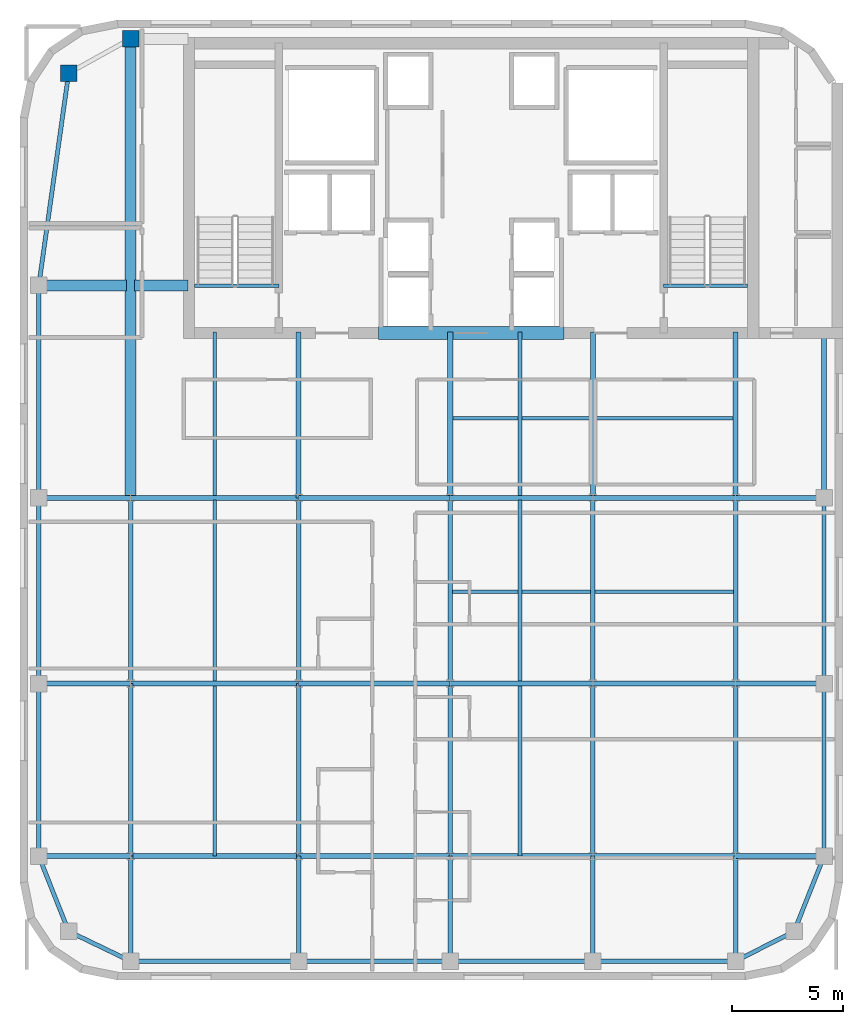
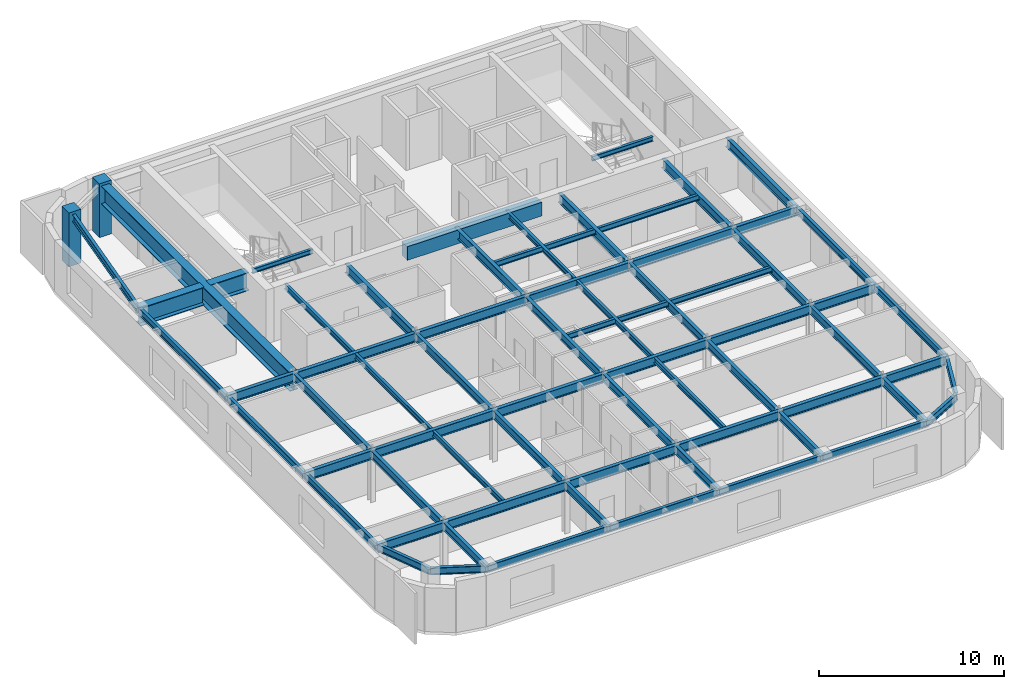
# One storey, part 2 of 8: 66 beams, 2 columns.
"""IFC4 building model written with IfcOpenShell, lengths in metres."""

from ifc_helpers import new_model, si_unit, direction, frame, origin, origin_2d, place, context, subcontext, project, spatial, rectangle, i_section, extrude, source, transform, mapped, material, material_profile, profile_set, type_object, type_shapes, element, save


model = new_model("IFC4")

# Units and contexts
model_context = context("Model", 3, precision=1e-05, world=origin(), true_north=direction((0.0, 1.0)))
body_context = subcontext(model_context, "Body", "Model", "MODEL_VIEW")
ifc_project = project(units=[si_unit("LENGTHUNIT", "METRE"), si_unit("AREAUNIT", "SQUARE_METRE"), si_unit("VOLUMEUNIT", "CUBIC_METRE"), si_unit("PLANEANGLEUNIT", "RADIAN"), si_unit("MASSUNIT", "GRAM", prefix="KILO")], contexts=[model_context])

# Site, building, storey
site_placement = place(None, origin())
site = spatial("IfcSite", under=ifc_project, at=site_placement, CompositionType="ELEMENT")
building_placement = place(site_placement, origin())
building = spatial("IfcBuilding", under=site, at=building_placement, Name="Tolvann Quenvar Hotel", CompositionType="ELEMENT")
storey_placement = place(building_placement, frame((0.0, 0.0, 231.0)))
storey = spatial("IfcBuildingStorey", under=building, at=storey_placement, Name="L61", CompositionType="ELEMENT", Elevation=231.0)

# Columns
ifc_material_1 = material(Name="Concrete N50 (50 MPa)", Category="concrete")
ifc_material_profile_1 = material_profile(ifc_material_1, rectangle(XDim=0.75, YDim=0.75, at=origin_2d()), Name="RC750x750")
ifc_profile_set_1 = profile_set([ifc_material_profile_1], Name="Concrete N50 (50 MPa)")
column_type = type_object("IfcColumnType", Name="COL_RC750", PredefinedType="COLUMN", material=ifc_profile_set_1)
shared_shape_1 = source(origin(), body_context, "Body", "SweptSolid", [
    extrude(rectangle(XDim=0.75, YDim=0.75, at=origin_2d()), origin(), (0.0, 0.0, 1.0), 3.550048828125),
])
type_shapes(column_type, [shared_shape_1])
for number, where, z_axis, x_axis, name in (
    (1, (4.800048828125, 43.60009765625, 0.0), (0.0, 0.0, 1.0), (1.0, 0.0, 0.0), "Column BN (L61)"),
    (2, (7.60009765625, 45.14990234375, 0.0), (0.0, 0.0, 1.0), (1.0, 0.0, 0.0), "Column CN (L61)"),
):
    element("IfcColumn", number, at=place(storey_placement, frame(where, z_axis=z_axis, x_axis=x_axis)), inside=storey, type_object=column_type, Name=name, PredefinedType="COLUMN", context=body_context, shape_type="MappedRepresentation", body=[
        mapped(shared_shape_1, transform((0.0, 0.0, 0.0), x_axis=(1.0, 0.0, 0.0), y_axis=(0.0, 1.0, 0.0), z_axis=(0.0, 0.0, 1.0), scale=1.0)),
    ])

# Beams
ifc_material_profile_2 = material_profile(ifc_material_1, rectangle(XDim=0.60009765625, YDim=0.89990234375, at=origin_2d()), Name="RC600x900")
ifc_profile_set_2 = profile_set([ifc_material_profile_2], Name="Concrete N50 (50 MPa)")
beam_type_1 = type_object("IfcBeamType", Name="BM_LINT_RC600x900", PredefinedType="LINTEL", material=ifc_profile_set_2)
shared_shape_2 = source(origin(), body_context, "Body", "SweptSolid", [
    extrude(rectangle(XDim=0.60009765625, YDim=0.89990234375, at=origin_2d()), origin(), (0.0, 0.0, 1.0), 8.39990234375),
])
type_shapes(beam_type_1, [shared_shape_2])
beam_1_placement = place(storey_placement, frame((18.800048828125, 31.85009765625, 2.919921875), z_axis=(1.0, 0.0, 0.0), x_axis=(0.0, 1.0, 0.0)))
element("IfcBeam", 3, at=beam_1_placement, inside=storey, type_object=beam_type_1, Name="Core Coupling Lintel Beam (L61)", PredefinedType="LINTEL", context=body_context, shape_type="MappedRepresentation", body=[
    mapped(shared_shape_2, transform((0.0, 0.0, 0.0), x_axis=(1.0, 0.0, 0.0), y_axis=(0.0, 1.0, 0.0), z_axis=(0.0, 0.0, 1.0), scale=1.0)),
])
ifc_material_2 = material(Name="Steel Grade 350", Category="steel")
ifc_material_profile_3 = material_profile(ifc_material_2, i_section(OverallWidth=0.208984375, OverallDepth=0.532958984375, WebThickness=0.01025390625, FlangeThickness=0.015625, FilletRadius=0.013916015625, at=origin_2d()), Name="530UB92")
ifc_profile_set_3 = profile_set([ifc_material_profile_3], Name="Steel Grade 350")
beam_type_2 = type_object("IfcBeamType", Name="BM_GIRD_530UB92", PredefinedType="BEAM", material=ifc_profile_set_3)
shared_shape_3 = source(origin(), body_context, "Body", "SweptSolid", [
    extrude(i_section(OverallWidth=0.208984375, OverallDepth=0.532958984375, WebThickness=0.01025390625, FlangeThickness=0.015625, FilletRadius=0.013916015625, at=origin_2d()), origin(), (0.0, 0.0, 1.0), 7.800048828125),
])
for number, where, z_axis, x_axis, name in (
    (4, (7.60009765625, 8.199951171875, 3.103515625), (0.0, 1.0, 0.0), (-1.0, 0.0, 0.0), "BM-L61-NS-C3-C4"),
    (5, (15.199951171875, 8.199951171875, 3.103515625), (0.0, 1.0, 0.0), (-1.0, 0.0, 0.0), "BM-L61-NS-D3-D4"),
    (6, (22.050048828125, 8.199951171875, 3.103515625), (0.0, 1.0, 0.0), (-1.0, 0.0, 0.0), "BM-L61-NS-E3-E4"),
    (7, (34.949951171875, 8.199951171875, 3.103515625), (0.0, 1.0, 0.0), (-1.0, 0.0, 0.0), "BM-L61-NS-F3-F4"),
    (8, (28.5, 8.199951171875, 3.103515625), (0.0, 1.0, 0.0), (-1.0, 0.0, 0.0), "BM-L61-NS-M3-M4"),
):
    element("IfcBeam", number, at=place(storey_placement, frame(where, z_axis=z_axis, x_axis=x_axis)), inside=storey, type_object=beam_type_2, Name=name, PredefinedType="BEAM", context=body_context, shape_type="MappedRepresentation", body=[
        mapped(shared_shape_3, transform((0.0, 0.0, 0.0), x_axis=(1.0, 0.0, 0.0), y_axis=(0.0, 1.0, 0.0), z_axis=(0.0, 0.0, 1.0), scale=1.0)),
    ])
shared_shape_4 = source(origin(), body_context, "Body", "SweptSolid", [
    extrude(i_section(OverallWidth=0.208984375, OverallDepth=0.532958984375, WebThickness=0.01025390625, FlangeThickness=0.015625, FilletRadius=0.013916015625, at=origin_2d()), origin(), (0.0, 0.0, 1.0), 8.39990234375),
])
for number, where, z_axis, x_axis, name in (
    (9, (7.60009765625, 16.0, 3.103515625), (0.0, 1.0, 0.0), (-1.0, 0.0, 0.0), "BM-L61-NS-C4-C5"),
    (10, (15.199951171875, 16.0, 3.103515625), (0.0, 1.0, 0.0), (-1.0, 0.0, 0.0), "BM-L61-NS-D4-D5"),
    (11, (22.050048828125, 16.0, 3.103515625), (0.0, 1.0, 0.0), (-1.0, 0.0, 0.0), "BM-L61-NS-E4-E5"),
    (12, (34.949951171875, 16.0, 3.103515625), (0.0, 1.0, 0.0), (-1.0, 0.0, 0.0), "BM-L61-NS-F4-F5"),
    (13, (28.5, 16.0, 3.103515625), (0.0, 1.0, 0.0), (-1.0, 0.0, 0.0), "BM-L61-NS-M4-M5"),
):
    element("IfcBeam", number, at=place(storey_placement, frame(where, z_axis=z_axis, x_axis=x_axis)), inside=storey, type_object=beam_type_2, Name=name, PredefinedType="BEAM", context=body_context, shape_type="MappedRepresentation", body=[
        mapped(shared_shape_4, transform((0.0, 0.0, 0.0), x_axis=(1.0, 0.0, 0.0), y_axis=(0.0, 1.0, 0.0), z_axis=(0.0, 0.0, 1.0), scale=1.0)),
    ])
ifc_material_profile_4 = material_profile(ifc_material_2, i_section(OverallWidth=0.5, OverallDepth=1.199951171875, WebThickness=0.01611328125, FlangeThickness=0.0400390625, at=origin_2d()), Name="1200WB455")
ifc_profile_set_4 = profile_set([ifc_material_profile_4], Name="Steel Grade 350")
beam_type_3 = type_object("IfcBeamType", Name="BM_TG_1200WB455", PredefinedType="USERDEFINED", material=ifc_profile_set_4)
shared_shape_5 = source(origin(), body_context, "Body", "SweptSolid", [
    extrude(i_section(OverallWidth=0.5, OverallDepth=1.199951171875, WebThickness=0.01611328125, FlangeThickness=0.0400390625, at=origin_2d()), origin(), (0.0, 0.0, 1.0), 20.75),
])
beam_2_placement = place(storey_placement, frame((7.60009765625, 24.39990234375, 2.77001953125), z_axis=(0.0, 1.0, 0.0), x_axis=(-1.0, 0.0, 0.0)))
element("IfcBeam", 14, at=beam_2_placement, inside=storey, type_object=beam_type_3, Name="BM-L61-FLK-WC", ObjectType="TRANSFER GIRDER", PredefinedType="USERDEFINED", context=body_context, shape_type="MappedRepresentation", body=[
    mapped(shared_shape_5, transform((0.0, 0.0, 0.0), x_axis=(1.0, 0.0, 0.0), y_axis=(0.0, 1.0, 0.0), z_axis=(0.0, 0.0, 1.0), scale=1.0)),
])
shared_shape_6 = source(origin(), body_context, "Body", "SweptSolid", [
    extrude(i_section(OverallWidth=0.5, OverallDepth=1.199951171875, WebThickness=0.01611328125, FlangeThickness=0.0400390625, at=origin_2d()), origin(), (0.0, 0.0, 1.0), 2.419921875),
])
beam_3_placement = place(storey_placement, frame((7.780029296875, 34.0, 2.77001953125), z_axis=(1.0, 0.0, 0.0), x_axis=(0.0, 1.0, 0.0)))
element("IfcBeam", 15, at=beam_3_placement, inside=storey, type_object=beam_type_3, Name="BM-L61-CTW-MID2", ObjectType="TRANSFER GIRDER", PredefinedType="USERDEFINED", context=body_context, shape_type="MappedRepresentation", body=[
    mapped(shared_shape_6, transform((0.0, 0.0, 0.0), x_axis=(1.0, 0.0, 0.0), y_axis=(0.0, 1.0, 0.0), z_axis=(0.0, 0.0, 1.0), scale=1.0)),
])
ifc_material_profile_5 = material_profile(ifc_material_2, i_section(OverallWidth=0.166015625, OverallDepth=0.306884765625, WebThickness=0.006591796875, FlangeThickness=0.01171875, FilletRadius=0.011474609375, at=origin_2d()), Name="310UB46")
ifc_profile_set_5 = profile_set([ifc_material_profile_5], Name="Steel Grade 350")
beam_type_4 = type_object("IfcBeamType", Name="BM_JOIST_310UB46", PredefinedType="JOIST", material=ifc_profile_set_5)
shared_shape_7 = source(origin(), body_context, "Body", "SweptSolid", [
    extrude(i_section(OverallWidth=0.166015625, OverallDepth=0.306884765625, WebThickness=0.006591796875, FlangeThickness=0.01171875, FilletRadius=0.011474609375, at=origin_2d()), origin(), (0.0, 0.0, 1.0), 3.800048828125),
])
type_shapes(beam_type_4, [shared_shape_7])
for number, where, z_axis, x_axis, name in (
    (16, (10.5, 33.97998046875, 3.216552734375), (1.0, 0.0, 0.0), (0.0, 1.0, 0.0), "BM-HDR-STC1-L62"),
    (17, (31.699951171875, 33.97998046875, 3.216552734375), (1.0, 0.0, 0.0), (0.0, 1.0, 0.0), "BM-HDR-STC2-L62"),
):
    element("IfcBeam", number, at=place(storey_placement, frame(where, z_axis=z_axis, x_axis=x_axis)), inside=storey, type_object=beam_type_4, Name=name, PredefinedType="JOIST", context=body_context, shape_type="MappedRepresentation", body=[
        mapped(shared_shape_7, transform((0.0, 0.0, 0.0), x_axis=(1.0, 0.0, 0.0), y_axis=(0.0, 1.0, 0.0), z_axis=(0.0, 0.0, 1.0), scale=1.0)),
    ])
shared_shape_8 = source(origin(), body_context, "Body", "SweptSolid", [
    extrude(i_section(OverallWidth=0.5, OverallDepth=1.199951171875, WebThickness=0.01611328125, FlangeThickness=0.0400390625, at=origin_2d()), origin(), (0.0, 0.0, 1.0), 3.969970703125),
])
type_shapes(beam_type_3, [shared_shape_5, shared_shape_6, shared_shape_8])
beam_4_placement = place(storey_placement, frame((3.449951171875, 34.0, 2.77001953125), z_axis=(1.0, 0.0, 0.0), x_axis=(0.0, 1.0, 0.0)))
element("IfcBeam", 18, at=beam_4_placement, inside=storey, type_object=beam_type_3, Name="BM-L61-CTW-MID1", ObjectType="TRANSFER GIRDER", PredefinedType="USERDEFINED", context=body_context, shape_type="MappedRepresentation", body=[
    mapped(shared_shape_8, transform((0.0, 0.0, 0.0), x_axis=(1.0, 0.0, 0.0), y_axis=(0.0, 1.0, 0.0), z_axis=(0.0, 0.0, 1.0), scale=1.0)),
])
ifc_material_profile_6 = material_profile(ifc_material_2, i_section(OverallWidth=0.172119140625, OverallDepth=0.35888671875, WebThickness=0.008056640625, FlangeThickness=0.012939453125, FilletRadius=0.011474609375, at=origin_2d()), Name="360UB57")
ifc_profile_set_6 = profile_set([ifc_material_profile_6], Name="Steel Grade 350")
beam_type_5 = type_object("IfcBeamType", Name="BM_JOIST_360UB57", PredefinedType="JOIST", material=ifc_profile_set_6)
shared_shape_9 = source(origin(), body_context, "Body", "SweptSolid", [
    extrude(i_section(OverallWidth=0.172119140625, OverallDepth=0.35888671875, WebThickness=0.008056640625, FlangeThickness=0.012939453125, FilletRadius=0.011474609375, at=origin_2d()), origin(), (0.0, 0.0, 1.0), 12.89990234375),
])
for number, where, z_axis, x_axis, name in (
    (19, (22.050048828125, 20.14990234375, 3.1904296875), (1.0, 0.0, 0.0), (0.0, 1.0, 0.0), "BM-L61-SPINE-20"),
    (20, (22.050048828125, 28.0, 3.1904296875), (1.0, 0.0, 0.0), (0.0, 1.0, 0.0), "BM-L61-SPINE-28"),
):
    element("IfcBeam", number, at=place(storey_placement, frame(where, z_axis=z_axis, x_axis=x_axis)), inside=storey, type_object=beam_type_5, Name=name, PredefinedType="JOIST", context=body_context, shape_type="MappedRepresentation", body=[
        mapped(shared_shape_9, transform((0.0, 0.0, 0.0), x_axis=(1.0, 0.0, 0.0), y_axis=(0.0, 1.0, 0.0), z_axis=(0.0, 0.0, 1.0), scale=1.0)),
    ])
ifc_material_profile_7 = material_profile(ifc_material_2, i_section(OverallWidth=0.22802734375, OverallDepth=0.60205078125, WebThickness=0.010498046875, FlangeThickness=0.014892578125, FilletRadius=0.013916015625, at=origin_2d()), Name="610UB101")
ifc_profile_set_7 = profile_set([ifc_material_profile_7], Name="Steel Grade 350")
beam_type_6 = type_object("IfcBeamType", Name="BM_GIRD_610UB101", PredefinedType="BEAM", material=ifc_profile_set_7)
shared_shape_10 = source(origin(), body_context, "Body", "SweptSolid", [
    extrude(i_section(OverallWidth=0.22802734375, OverallDepth=0.60205078125, WebThickness=0.010498046875, FlangeThickness=0.014892578125, FilletRadius=0.013916015625, at=origin_2d()), origin(), (0.0, 0.0, 1.0), 4.150146484375),
])
for number, where, z_axis, x_axis, name in (
    (21, (3.449951171875, 8.199951171875, 3.069091796875), (1.0, 0.0, 0.0), (0.0, 1.0, 0.0), "BM-L61-EW-3-B3-C3"),
    (22, (3.449951171875, 16.0, 3.069091796875), (1.0, 0.0, 0.0), (0.0, 1.0, 0.0), "BM-L61-EW-4-B4-C4"),
    (23, (3.449951171875, 24.39990234375, 3.069091796875), (1.0, 0.0, 0.0), (0.0, 1.0, 0.0), "BM-L61-EW-5-B5-C5"),
):
    element("IfcBeam", number, at=place(storey_placement, frame(where, z_axis=z_axis, x_axis=x_axis)), inside=storey, type_object=beam_type_6, Name=name, PredefinedType="BEAM", context=body_context, shape_type="MappedRepresentation", body=[
        mapped(shared_shape_10, transform((0.0, 0.0, 0.0), x_axis=(1.0, 0.0, 0.0), y_axis=(0.0, 1.0, 0.0), z_axis=(0.0, 0.0, 1.0), scale=1.0)),
    ])
shared_shape_11 = source(origin(), body_context, "Body", "SweptSolid", [
    extrude(i_section(OverallWidth=0.22802734375, OverallDepth=0.60205078125, WebThickness=0.010498046875, FlangeThickness=0.014892578125, FilletRadius=0.013916015625, at=origin_2d()), origin(), (0.0, 0.0, 1.0), 7.599853515625),
])
for number, where, z_axis, x_axis, name in (
    (24, (7.60009765625, 8.199951171875, 3.069091796875), (1.0, 0.0, 0.0), (0.0, 1.0, 0.0), "BM-L61-EW-3-C3-D3"),
    (25, (7.60009765625, 16.0, 3.069091796875), (1.0, 0.0, 0.0), (0.0, 1.0, 0.0), "BM-L61-EW-4-C4-D4"),
    (26, (7.60009765625, 24.39990234375, 3.069091796875), (1.0, 0.0, 0.0), (0.0, 1.0, 0.0), "BM-L61-EW-5-C5-D5"),
):
    element("IfcBeam", number, at=place(storey_placement, frame(where, z_axis=z_axis, x_axis=x_axis)), inside=storey, type_object=beam_type_6, Name=name, PredefinedType="BEAM", context=body_context, shape_type="MappedRepresentation", body=[
        mapped(shared_shape_11, transform((0.0, 0.0, 0.0), x_axis=(1.0, 0.0, 0.0), y_axis=(0.0, 1.0, 0.0), z_axis=(0.0, 0.0, 1.0), scale=1.0)),
    ])
shared_shape_12 = source(origin(), body_context, "Body", "SweptSolid", [
    extrude(i_section(OverallWidth=0.22802734375, OverallDepth=0.60205078125, WebThickness=0.010498046875, FlangeThickness=0.014892578125, FilletRadius=0.013916015625, at=origin_2d()), origin(), (0.0, 0.0, 1.0), 6.85009765625),
])
for number, where, z_axis, x_axis, name in (
    (27, (15.199951171875, 8.199951171875, 3.069091796875), (1.0, 0.0, 0.0), (0.0, 1.0, 0.0), "BM-L61-EW-3-D3-E3"),
    (28, (15.199951171875, 16.0, 3.069091796875), (1.0, 0.0, 0.0), (0.0, 1.0, 0.0), "BM-L61-EW-4-D4-E4"),
    (29, (15.199951171875, 24.39990234375, 3.069091796875), (1.0, 0.0, 0.0), (0.0, 1.0, 0.0), "BM-L61-EW-5-D5-E5"),
):
    element("IfcBeam", number, at=place(storey_placement, frame(where, z_axis=z_axis, x_axis=x_axis)), inside=storey, type_object=beam_type_6, Name=name, PredefinedType="BEAM", context=body_context, shape_type="MappedRepresentation", body=[
        mapped(shared_shape_12, transform((0.0, 0.0, 0.0), x_axis=(1.0, 0.0, 0.0), y_axis=(0.0, 1.0, 0.0), z_axis=(0.0, 0.0, 1.0), scale=1.0)),
    ])
shared_shape_13 = source(origin(), body_context, "Body", "SweptSolid", [
    extrude(i_section(OverallWidth=0.22802734375, OverallDepth=0.60205078125, WebThickness=0.010498046875, FlangeThickness=0.014892578125, FilletRadius=0.013916015625, at=origin_2d()), origin(), (0.0, 0.0, 1.0), 6.449951171875),
])
for number, where, z_axis, x_axis, name in (
    (30, (22.050048828125, 8.199951171875, 3.069091796875), (1.0, 0.0, 0.0), (0.0, 1.0, 0.0), "BM-L61-EW-3-E3-M3"),
    (31, (28.5, 8.199951171875, 3.069091796875), (1.0, 0.0, 0.0), (0.0, 1.0, 0.0), "BM-L61-EW-3-M3-F3"),
    (32, (22.050048828125, 16.0, 3.069091796875), (1.0, 0.0, 0.0), (0.0, 1.0, 0.0), "BM-L61-EW-4-E4-M4"),
    (33, (28.5, 16.0, 3.069091796875), (1.0, 0.0, 0.0), (0.0, 1.0, 0.0), "BM-L61-EW-4-M4-F4"),
    (34, (22.050048828125, 24.39990234375, 3.069091796875), (1.0, 0.0, 0.0), (0.0, 1.0, 0.0), "BM-L61-EW-5-E5-M5"),
    (35, (28.5, 24.39990234375, 3.069091796875), (1.0, 0.0, 0.0), (0.0, 1.0, 0.0), "BM-L61-EW-5-M5-F5"),
):
    element("IfcBeam", number, at=place(storey_placement, frame(where, z_axis=z_axis, x_axis=x_axis)), inside=storey, type_object=beam_type_6, Name=name, PredefinedType="BEAM", context=body_context, shape_type="MappedRepresentation", body=[
        mapped(shared_shape_13, transform((0.0, 0.0, 0.0), x_axis=(1.0, 0.0, 0.0), y_axis=(0.0, 1.0, 0.0), z_axis=(0.0, 0.0, 1.0), scale=1.0)),
    ])
shared_shape_14 = source(origin(), body_context, "Body", "SweptSolid", [
    extrude(i_section(OverallWidth=0.208984375, OverallDepth=0.532958984375, WebThickness=0.01025390625, FlangeThickness=0.015625, FilletRadius=0.013916015625, at=origin_2d()), origin(), (0.0, 0.0, 1.0), 4.75),
])
type_shapes(beam_type_2, [shared_shape_3, shared_shape_4, shared_shape_14])
for number, where, z_axis, x_axis, name in (
    (36, (7.60009765625, 3.449951171875, 3.103515625), (0.0, 1.0, 0.0), (-1.0, 0.0, 0.0), "BM-L61-NS-C2-C3"),
    (37, (15.199951171875, 3.449951171875, 3.103515625), (0.0, 1.0, 0.0), (-1.0, 0.0, 0.0), "BM-L61-NS-D2-D3"),
    (38, (22.050048828125, 3.449951171875, 3.103515625), (0.0, 1.0, 0.0), (-1.0, 0.0, 0.0), "BM-L61-NS-E2-E3"),
    (39, (34.949951171875, 3.449951171875, 3.103515625), (0.0, 1.0, 0.0), (-1.0, 0.0, 0.0), "BM-L61-NS-F2-F3"),
    (40, (28.5, 3.449951171875, 3.103515625), (0.0, 1.0, 0.0), (-1.0, 0.0, 0.0), "BM-L61-NS-M2-M3"),
):
    element("IfcBeam", number, at=place(storey_placement, frame(where, z_axis=z_axis, x_axis=x_axis)), inside=storey, type_object=beam_type_2, Name=name, PredefinedType="BEAM", context=body_context, shape_type="MappedRepresentation", body=[
        mapped(shared_shape_14, transform((0.0, 0.0, 0.0), x_axis=(1.0, 0.0, 0.0), y_axis=(0.0, 1.0, 0.0), z_axis=(0.0, 0.0, 1.0), scale=1.0)),
    ])
shared_shape_15 = source(origin(), body_context, "Body", "SweptSolid", [
    extrude(i_section(OverallWidth=0.22802734375, OverallDepth=0.60205078125, WebThickness=0.010498046875, FlangeThickness=0.014892578125, FilletRadius=0.013916015625, at=origin_2d()), origin(), (0.0, 0.0, 1.0), 7.5),
])
for number, where, z_axis, x_axis, name in (
    (41, (15.199951171875, 24.39990234375, 3.069091796875), (0.0, 1.0, 0.0), (-1.0, 0.0, 0.0), "BM-L61-CORE-D5"),
    (42, (22.050048828125, 24.39990234375, 3.069091796875), (0.0, 1.0, 0.0), (-1.0, 0.0, 0.0), "BM-L61-CORE-E5"),
    (43, (34.949951171875, 24.39990234375, 3.069091796875), (0.0, 1.0, 0.0), (-1.0, 0.0, 0.0), "BM-L61-CORE-F5"),
    (44, (38.949951171875, 24.39990234375, 3.069091796875), (0.0, 1.0, 0.0), (-1.0, 0.0, 0.0), "BM-L61-CORE-G5"),
    (45, (28.5, 24.39990234375, 3.069091796875), (0.0, 1.0, 0.0), (-1.0, 0.0, 0.0), "BM-L61-CORE-M5"),
):
    element("IfcBeam", number, at=place(storey_placement, frame(where, z_axis=z_axis, x_axis=x_axis)), inside=storey, type_object=beam_type_6, Name=name, PredefinedType="BEAM", context=body_context, shape_type="MappedRepresentation", body=[
        mapped(shared_shape_15, transform((0.0, 0.0, 0.0), x_axis=(1.0, 0.0, 0.0), y_axis=(0.0, 1.0, 0.0), z_axis=(0.0, 0.0, 1.0), scale=1.0)),
    ])
shared_shape_16 = source(origin(), body_context, "Body", "SweptSolid", [
    extrude(i_section(OverallWidth=0.172119140625, OverallDepth=0.35888671875, WebThickness=0.008056640625, FlangeThickness=0.012939453125, FilletRadius=0.011474609375, at=origin_2d()), origin(), (0.0, 0.0, 1.0), 7.692138671875),
])
for number, where, z_axis, x_axis, name in (
    (46, (11.39990234375, 8.199951171875, 3.1904296875), (0.0, 1.0, 0.0), (-1.0, 0.0, 0.0), "BJ-L61-114-82"),
    (47, (25.199951171875, 8.199951171875, 3.1904296875), (0.0, 1.0, 0.0), (-1.0, 0.0, 0.0), "BJ-L61-252-82"),
):
    element("IfcBeam", number, at=place(storey_placement, frame(where, z_axis=z_axis, x_axis=x_axis)), inside=storey, type_object=beam_type_5, Name=name, PredefinedType="JOIST", context=body_context, shape_type="MappedRepresentation", body=[
        mapped(shared_shape_16, transform((0.0, 0.0, 0.0), x_axis=(1.0, 0.0, 0.0), y_axis=(0.0, 1.0, 0.0), z_axis=(0.0, 0.0, 1.0), scale=1.0)),
    ])
shared_shape_17 = source(origin(), body_context, "Body", "SweptSolid", [
    extrude(i_section(OverallWidth=0.172119140625, OverallDepth=0.35888671875, WebThickness=0.008056640625, FlangeThickness=0.012939453125, FilletRadius=0.011474609375, at=origin_2d()), origin(), (0.0, 0.0, 1.0), 8.18408203125),
])
for number, where, z_axis, x_axis, name in (
    (48, (11.39990234375, 16.10791015625, 3.1904296875), (0.0, 1.0, 0.0), (-1.0, 0.0, 0.0), "BJ-L61-114-160"),
    (49, (25.199951171875, 16.10791015625, 3.1904296875), (0.0, 1.0, 0.0), (-1.0, 0.0, 0.0), "BJ-L61-252-160"),
):
    element("IfcBeam", number, at=place(storey_placement, frame(where, z_axis=z_axis, x_axis=x_axis)), inside=storey, type_object=beam_type_5, Name=name, PredefinedType="JOIST", context=body_context, shape_type="MappedRepresentation", body=[
        mapped(shared_shape_17, transform((0.0, 0.0, 0.0), x_axis=(1.0, 0.0, 0.0), y_axis=(0.0, 1.0, 0.0), z_axis=(0.0, 0.0, 1.0), scale=1.0)),
    ])
shared_shape_18 = source(origin(), body_context, "Body", "SweptSolid", [
    extrude(i_section(OverallWidth=0.172119140625, OverallDepth=0.35888671875, WebThickness=0.008056640625, FlangeThickness=0.012939453125, FilletRadius=0.011474609375, at=origin_2d()), origin(), (0.0, 0.0, 1.0), 7.391845703125),
])
type_shapes(beam_type_5, [shared_shape_9, shared_shape_16, shared_shape_17, shared_shape_18])
for number, where, z_axis, x_axis, name in (
    (50, (11.39990234375, 24.508056640625, 3.1904296875), (0.0, 1.0, 0.0), (-1.0, 0.0, 0.0), "BJ-L61-114-244"),
    (51, (25.199951171875, 24.508056640625, 3.1904296875), (0.0, 1.0, 0.0), (-1.0, 0.0, 0.0), "BJ-L61-252-244"),
):
    element("IfcBeam", number, at=place(storey_placement, frame(where, z_axis=z_axis, x_axis=x_axis)), inside=storey, type_object=beam_type_5, Name=name, PredefinedType="JOIST", context=body_context, shape_type="MappedRepresentation", body=[
        mapped(shared_shape_18, transform((0.0, 0.0, 0.0), x_axis=(1.0, 0.0, 0.0), y_axis=(0.0, 1.0, 0.0), z_axis=(0.0, 0.0, 1.0), scale=1.0)),
    ])
ifc_material_profile_8 = material_profile(ifc_material_2, i_section(OverallWidth=0.19091796875, OverallDepth=0.4599609375, WebThickness=0.010009765625, FlangeThickness=0.01611328125, FilletRadius=0.011474609375, at=origin_2d()), Name="460UB82")
ifc_profile_set_8 = profile_set([ifc_material_profile_8], Name="Steel Grade 350")
beam_type_7 = type_object("IfcBeamType", Name="BM_SPAND_460UB82", PredefinedType="SPANDREL", material=ifc_profile_set_8)
shared_shape_19 = source(origin(), body_context, "Body", "SweptSolid", [
    extrude(i_section(OverallWidth=0.19091796875, OverallDepth=0.4599609375, WebThickness=0.010009765625, FlangeThickness=0.01611328125, FilletRadius=0.011474609375, at=origin_2d()), origin(), (0.0, 0.0, 1.0), 3.108642578125),
])
beam_5_placement = place(storey_placement, frame((4.800048828125, 4.800048828125, 3.139892578125), z_axis=(0.900759354066, -0.434318530646, 0.0), x_axis=(0.434318530646, 0.900759354066, 0.0)))
element("IfcBeam", 52, at=beam_5_placement, inside=storey, type_object=beam_type_7, Name="BM-L61-EW-2-B2-C2", PredefinedType="SPANDREL", context=body_context, shape_type="MappedRepresentation", body=[
    mapped(shared_shape_19, transform((0.0, 0.0, 0.0), x_axis=(1.0, 0.0, 0.0), y_axis=(0.0, 1.0, 0.0), z_axis=(0.0, 0.0, 1.0), scale=1.0)),
])
shared_shape_20 = source(origin(), body_context, "Body", "SweptSolid", [
    extrude(i_section(OverallWidth=0.19091796875, OverallDepth=0.4599609375, WebThickness=0.010009765625, FlangeThickness=0.01611328125, FilletRadius=0.011474609375, at=origin_2d()), origin(), (0.0, 0.0, 1.0), 7.599853515625),
])
beam_6_placement = place(storey_placement, frame((7.60009765625, 3.449951171875, 3.139892578125), z_axis=(1.0, 0.0, 0.0), x_axis=(0.0, 1.0, 0.0)))
element("IfcBeam", 53, at=beam_6_placement, inside=storey, type_object=beam_type_7, Name="BM-L61-EW-2-C2-D2", PredefinedType="SPANDREL", context=body_context, shape_type="MappedRepresentation", body=[
    mapped(shared_shape_20, transform((0.0, 0.0, 0.0), x_axis=(1.0, 0.0, 0.0), y_axis=(0.0, 1.0, 0.0), z_axis=(0.0, 0.0, 1.0), scale=1.0)),
])
shared_shape_21 = source(origin(), body_context, "Body", "SweptSolid", [
    extrude(i_section(OverallWidth=0.19091796875, OverallDepth=0.4599609375, WebThickness=0.010009765625, FlangeThickness=0.01611328125, FilletRadius=0.011474609375, at=origin_2d()), origin(), (0.0, 0.0, 1.0), 6.85009765625),
])
beam_7_placement = place(storey_placement, frame((15.199951171875, 3.449951171875, 3.139892578125), z_axis=(1.0, 0.0, 0.0), x_axis=(0.0, 1.0, 0.0)))
element("IfcBeam", 54, at=beam_7_placement, inside=storey, type_object=beam_type_7, Name="BM-L61-EW-2-D2-E2", PredefinedType="SPANDREL", context=body_context, shape_type="MappedRepresentation", body=[
    mapped(shared_shape_21, transform((0.0, 0.0, 0.0), x_axis=(1.0, 0.0, 0.0), y_axis=(0.0, 1.0, 0.0), z_axis=(0.0, 0.0, 1.0), scale=1.0)),
])
shared_shape_22 = source(origin(), body_context, "Body", "SweptSolid", [
    extrude(i_section(OverallWidth=0.19091796875, OverallDepth=0.4599609375, WebThickness=0.010009765625, FlangeThickness=0.01611328125, FilletRadius=0.011474609375, at=origin_2d()), origin(), (0.0, 0.0, 1.0), 6.449951171875),
])
for number, where, z_axis, x_axis, name in (
    (55, (22.050048828125, 3.449951171875, 3.139892578125), (1.0, 0.0, 0.0), (0.0, 1.0, 0.0), "BM-L61-EW-2-E2-M2"),
    (56, (28.5, 3.449951171875, 3.139892578125), (1.0, 0.0, 0.0), (0.0, 1.0, 0.0), "BM-L61-EW-2-M2-F2"),
):
    element("IfcBeam", number, at=place(storey_placement, frame(where, z_axis=z_axis, x_axis=x_axis)), inside=storey, type_object=beam_type_7, Name=name, PredefinedType="SPANDREL", context=body_context, shape_type="MappedRepresentation", body=[
        mapped(shared_shape_22, transform((0.0, 0.0, 0.0), x_axis=(1.0, 0.0, 0.0), y_axis=(0.0, 1.0, 0.0), z_axis=(0.0, 0.0, 1.0), scale=1.0)),
    ])
shared_shape_23 = source(origin(), body_context, "Body", "SweptSolid", [
    extrude(i_section(OverallWidth=0.19091796875, OverallDepth=0.4599609375, WebThickness=0.010009765625, FlangeThickness=0.01611328125, FilletRadius=0.011474609375, at=origin_2d()), origin(), (0.0, 0.0, 1.0), 2.97412109375),
])
beam_8_placement = place(storey_placement, frame((34.949951171875, 3.449951171875, 3.139892578125), z_axis=(0.891036364695, 0.453931929688, 0.0), x_axis=(-0.453931929688, 0.891036364695, 0.0)))
element("IfcBeam", 57, at=beam_8_placement, inside=storey, type_object=beam_type_7, Name="BM-L61-EW-2-F2-G2", PredefinedType="SPANDREL", context=body_context, shape_type="MappedRepresentation", body=[
    mapped(shared_shape_23, transform((0.0, 0.0, 0.0), x_axis=(1.0, 0.0, 0.0), y_axis=(0.0, 1.0, 0.0), z_axis=(0.0, 0.0, 1.0), scale=1.0)),
])
shared_shape_24 = source(origin(), body_context, "Body", "SweptSolid", [
    extrude(i_section(OverallWidth=0.22802734375, OverallDepth=0.60205078125, WebThickness=0.010498046875, FlangeThickness=0.014892578125, FilletRadius=0.013916015625, at=origin_2d()), origin(), (0.0, 0.0, 1.0), 4.0),
])
type_shapes(beam_type_6, [shared_shape_10, shared_shape_11, shared_shape_12, shared_shape_13, shared_shape_15, shared_shape_24])
for number, where, z_axis, x_axis, name in (
    (58, (34.949951171875, 8.199951171875, 3.069091796875), (1.0, 0.0, 0.0), (0.0, 1.0, 0.0), "BM-L61-EW-3-F3-G3"),
    (59, (34.949951171875, 16.0, 3.069091796875), (1.0, 0.0, 0.0), (0.0, 1.0, 0.0), "BM-L61-EW-4-F4-G4"),
    (60, (34.949951171875, 24.39990234375, 3.069091796875), (1.0, 0.0, 0.0), (0.0, 1.0, 0.0), "BM-L61-EW-5-F5-G5"),
):
    element("IfcBeam", number, at=place(storey_placement, frame(where, z_axis=z_axis, x_axis=x_axis)), inside=storey, type_object=beam_type_6, Name=name, PredefinedType="BEAM", context=body_context, shape_type="MappedRepresentation", body=[
        mapped(shared_shape_24, transform((0.0, 0.0, 0.0), x_axis=(1.0, 0.0, 0.0), y_axis=(0.0, 1.0, 0.0), z_axis=(0.0, 0.0, 1.0), scale=1.0)),
    ])
shared_shape_25 = source(origin(), body_context, "Body", "SweptSolid", [
    extrude(i_section(OverallWidth=0.19091796875, OverallDepth=0.4599609375, WebThickness=0.010009765625, FlangeThickness=0.01611328125, FilletRadius=0.011474609375, at=origin_2d()), origin(), (0.0, 0.0, 1.0), 3.658203125),
])
beam_9_placement = place(storey_placement, frame((4.800048828125, 4.800048828125, 3.139892578125), z_axis=(-0.369065163807, 0.929403521009, 0.0), x_axis=(-0.929403521009, -0.369065163807, 0.0)))
element("IfcBeam", 61, at=beam_9_placement, inside=storey, type_object=beam_type_7, Name="BM-L61-NS-B2-B3", PredefinedType="SPANDREL", context=body_context, shape_type="MappedRepresentation", body=[
    mapped(shared_shape_25, transform((0.0, 0.0, 0.0), x_axis=(1.0, 0.0, 0.0), y_axis=(0.0, 1.0, 0.0), z_axis=(0.0, 0.0, 1.0), scale=1.0)),
])
shared_shape_26 = source(origin(), body_context, "Body", "SweptSolid", [
    extrude(i_section(OverallWidth=0.19091796875, OverallDepth=0.4599609375, WebThickness=0.010009765625, FlangeThickness=0.01611328125, FilletRadius=0.011474609375, at=origin_2d()), origin(), (0.0, 0.0, 1.0), 7.800048828125),
])
for number, where, z_axis, x_axis, name in (
    (62, (3.449951171875, 8.199951171875, 3.139892578125), (0.0, 1.0, 0.0), (-1.0, 0.0, 0.0), "BM-L61-NS-B3-B4"),
    (63, (38.949951171875, 8.199951171875, 3.139892578125), (0.0, 1.0, 0.0), (-1.0, 0.0, 0.0), "BM-L61-NS-G3-G4"),
):
    element("IfcBeam", number, at=place(storey_placement, frame(where, z_axis=z_axis, x_axis=x_axis)), inside=storey, type_object=beam_type_7, Name=name, PredefinedType="SPANDREL", context=body_context, shape_type="MappedRepresentation", body=[
        mapped(shared_shape_26, transform((0.0, 0.0, 0.0), x_axis=(1.0, 0.0, 0.0), y_axis=(0.0, 1.0, 0.0), z_axis=(0.0, 0.0, 1.0), scale=1.0)),
    ])
shared_shape_27 = source(origin(), body_context, "Body", "SweptSolid", [
    extrude(i_section(OverallWidth=0.19091796875, OverallDepth=0.4599609375, WebThickness=0.010009765625, FlangeThickness=0.01611328125, FilletRadius=0.011474609375, at=origin_2d()), origin(), (0.0, 0.0, 1.0), 8.39990234375),
])
for number, where, z_axis, x_axis, name in (
    (64, (3.449951171875, 16.0, 3.139892578125), (0.0, 1.0, 0.0), (-1.0, 0.0, 0.0), "BM-L61-NS-B4-B5"),
    (65, (38.949951171875, 16.0, 3.139892578125), (0.0, 1.0, 0.0), (-1.0, 0.0, 0.0), "BM-L61-NS-G4-G5"),
):
    element("IfcBeam", number, at=place(storey_placement, frame(where, z_axis=z_axis, x_axis=x_axis)), inside=storey, type_object=beam_type_7, Name=name, PredefinedType="SPANDREL", context=body_context, shape_type="MappedRepresentation", body=[
        mapped(shared_shape_27, transform((0.0, 0.0, 0.0), x_axis=(1.0, 0.0, 0.0), y_axis=(0.0, 1.0, 0.0), z_axis=(0.0, 0.0, 1.0), scale=1.0)),
    ])
shared_shape_28 = source(origin(), body_context, "Body", "SweptSolid", [
    extrude(i_section(OverallWidth=0.19091796875, OverallDepth=0.4599609375, WebThickness=0.010009765625, FlangeThickness=0.01611328125, FilletRadius=0.011474609375, at=origin_2d()), origin(), (0.0, 0.0, 1.0), 3.657958984375),
])
beam_10_placement = place(storey_placement, frame((37.60009765625, 4.800048828125, 3.139892578125), z_axis=(0.369007513371, 0.929426411867, 0.0), x_axis=(-0.929426411867, 0.369007513371, 0.0)))
element("IfcBeam", 66, at=beam_10_placement, inside=storey, type_object=beam_type_7, Name="BM-L61-NS-G2-G3", PredefinedType="SPANDREL", context=body_context, shape_type="MappedRepresentation", body=[
    mapped(shared_shape_28, transform((0.0, 0.0, 0.0), x_axis=(1.0, 0.0, 0.0), y_axis=(0.0, 1.0, 0.0), z_axis=(0.0, 0.0, 1.0), scale=1.0)),
])
shared_shape_29 = source(origin(), body_context, "Body", "SweptSolid", [
    extrude(i_section(OverallWidth=0.19091796875, OverallDepth=0.4599609375, WebThickness=0.010009765625, FlangeThickness=0.01611328125, FilletRadius=0.011474609375, at=origin_2d()), origin(), (0.0, 0.0, 1.0), 9.60009765625),
])
beam_11_placement = place(storey_placement, frame((3.449951171875, 24.39990234375, 3.139892578125), z_axis=(0.0, 1.0, 0.0), x_axis=(-1.0, 0.0, 0.0)))
element("IfcBeam", 67, at=beam_11_placement, inside=storey, type_object=beam_type_7, Name="BM-L61-FLK-W1", PredefinedType="SPANDREL", context=body_context, shape_type="MappedRepresentation", body=[
    mapped(shared_shape_29, transform((0.0, 0.0, 0.0), x_axis=(1.0, 0.0, 0.0), y_axis=(0.0, 1.0, 0.0), z_axis=(0.0, 0.0, 1.0), scale=1.0)),
])
shared_shape_30 = source(origin(), body_context, "Body", "SweptSolid", [
    extrude(i_section(OverallWidth=0.19091796875, OverallDepth=0.4599609375, WebThickness=0.010009765625, FlangeThickness=0.01611328125, FilletRadius=0.011474609375, at=origin_2d()), origin(), (0.0, 0.0, 1.0), 9.694580078125),
])
type_shapes(beam_type_7, [shared_shape_19, shared_shape_20, shared_shape_21, shared_shape_22, shared_shape_23, shared_shape_25, shared_shape_26, shared_shape_27, shared_shape_28, shared_shape_29, shared_shape_30])
beam_12_placement = place(storey_placement, frame((3.449951171875, 34.0, 3.139892578125), z_axis=(0.139263320262, 0.990255385055, 0.0), x_axis=(-0.990255385055, 0.139263320262, 0.0)))
element("IfcBeam", 68, at=beam_12_placement, inside=storey, type_object=beam_type_7, Name="BM-L61-FLK-W2", PredefinedType="SPANDREL", context=body_context, shape_type="MappedRepresentation", body=[
    mapped(shared_shape_30, transform((0.0, 0.0, 0.0), x_axis=(1.0, 0.0, 0.0), y_axis=(0.0, 1.0, 0.0), z_axis=(0.0, 0.0, 1.0), scale=1.0)),
])

save(model, "model.ifc")
